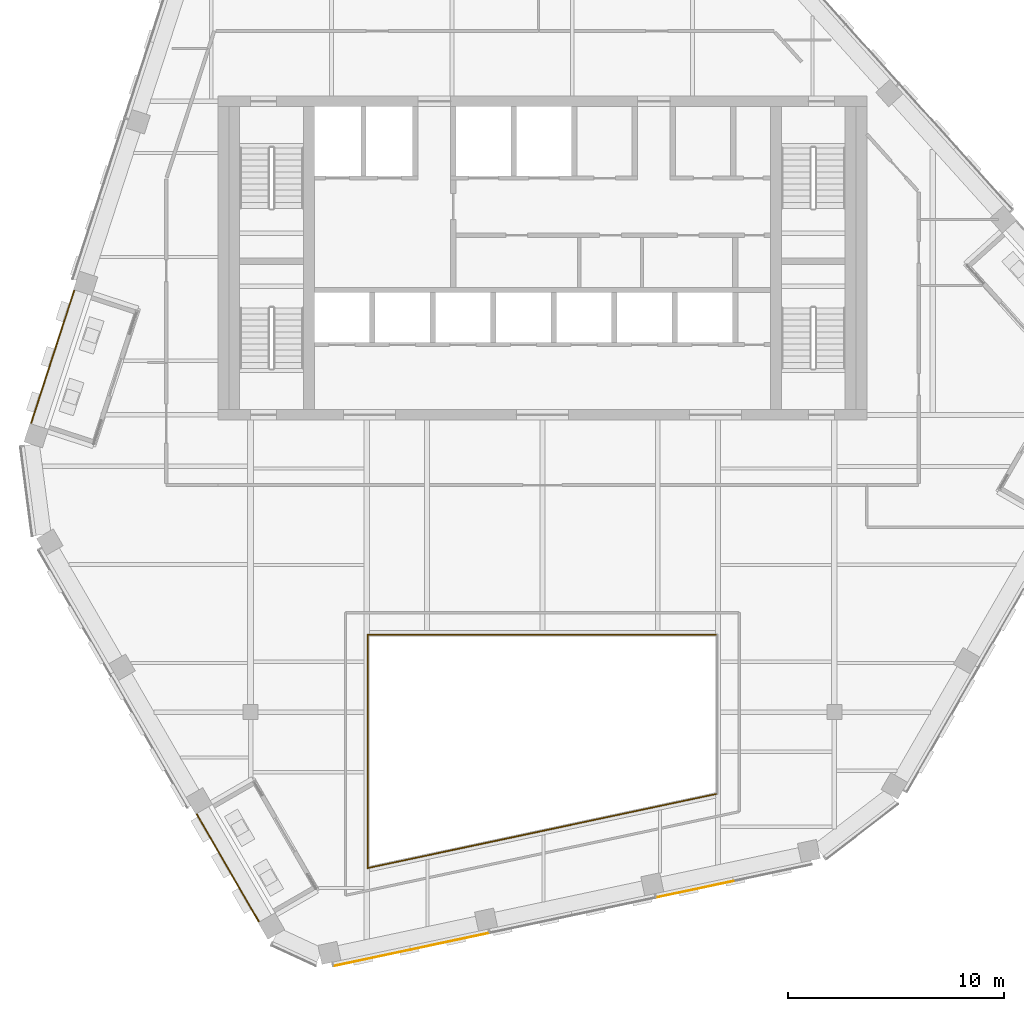
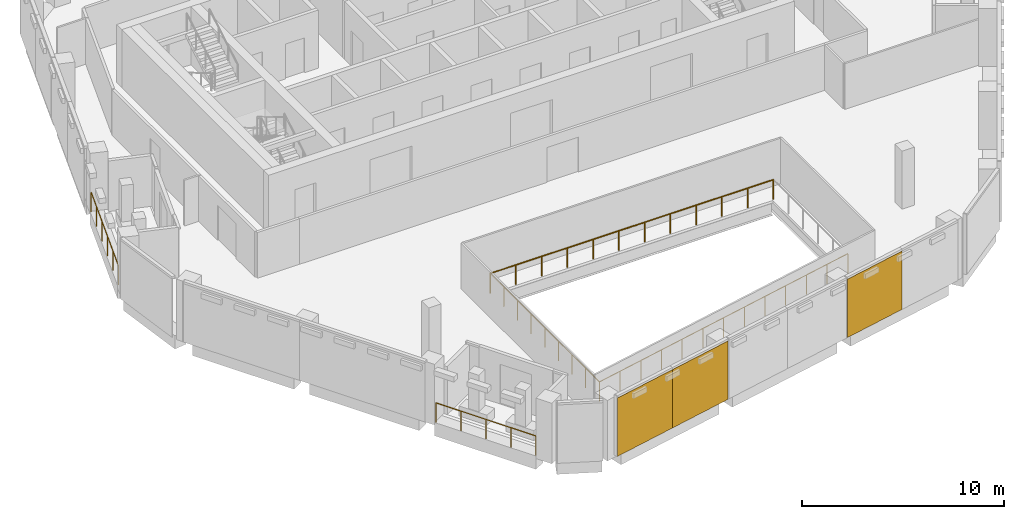
# One storey, part 17 of 22: 5 railings, 3 coverings, 1 element without a shape of its own.
"""IFC4 building model written with IfcOpenShell, lengths in metres."""

from ifc_helpers import new_model, si_unit, direction, frame, origin, origin_2d, place, context, subcontext, project, spatial, rectangle, circle, extrude, material, layer, layer_set, type_object, element, aggregate, save


model = new_model("IFC4")

# Units and contexts
model_context = context("Model", 3, precision=1e-05, world=origin(), true_north=direction((0.0, 1.0)))
body_context = subcontext(model_context, "Body", "Model", "MODEL_VIEW")
ifc_project = project(units=[si_unit("LENGTHUNIT", "METRE"), si_unit("AREAUNIT", "SQUARE_METRE"), si_unit("VOLUMEUNIT", "CUBIC_METRE"), si_unit("PLANEANGLEUNIT", "RADIAN"), si_unit("MASSUNIT", "GRAM", prefix="KILO")], contexts=[model_context])

# Site, building, storey
site_placement = place(None, origin())
site = spatial("IfcSite", under=ifc_project, at=site_placement, CompositionType="ELEMENT")
building_placement = place(site_placement, origin())
building = spatial("IfcBuilding", under=site, at=building_placement, Name="Isthmus Gate Tower", CompositionType="ELEMENT")
storey_placement = place(building_placement, frame((0.0, 0.0, 264.60009765625)))
storey = spatial("IfcBuildingStorey", under=building, at=storey_placement, Name="L67", CompositionType="ELEMENT", Elevation=264.60009765625)

# Railings
ifc_material_1 = material(Name="Laminated toughened glass balustrade with steel rail", Category="steel")
railing_type_1 = type_object("IfcRailingType", Name="ATRIUM GUARD GLASS BALUSTRADE 1200", PredefinedType="GUARDRAIL", material=ifc_material_1)
railing_1_placement = place(storey_placement, frame((-8.080078125, -20.7099609375, 0.0)))
element("IfcRailing", 1, at=railing_1_placement, inside=storey, type_object=railing_type_1, Name="L67 atrium guard", PredefinedType="GUARDRAIL", context=body_context, shape_type="SweptSolid", body=[
    extrude(circle(Radius=0.02490234375, at=origin_2d()), frame((0.0, 0.0, 1.1748046875), z_axis=(0.0, 1.0, 0.0), x_axis=(-1.0, 0.0, 0.0)), (0.0, 0.0, 1.0), 10.7900390625),
    extrude(circle(Radius=0.02490234375, at=origin_2d()), origin(), (0.0, 0.0, 1.0), 1.14990234375),
    extrude(circle(Radius=0.02490234375, at=origin_2d()), frame((0.0, 1.3486328125, 0.0)), (0.0, 0.0, 1.0), 1.14990234375),
    extrude(circle(Radius=0.02490234375, at=origin_2d()), frame((0.0, 2.697509765625, 0.0)), (0.0, 0.0, 1.0), 1.14990234375),
    extrude(circle(Radius=0.02490234375, at=origin_2d()), frame((0.0, 4.04638671875, 0.0)), (0.0, 0.0, 1.0), 1.14990234375),
    extrude(circle(Radius=0.02490234375, at=origin_2d()), frame((0.0, 5.39501953125, 0.0)), (0.0, 0.0, 1.0), 1.14990234375),
    extrude(circle(Radius=0.02490234375, at=origin_2d()), frame((0.0, 6.74365234375, 0.0)), (0.0, 0.0, 1.0), 1.14990234375),
    extrude(circle(Radius=0.02490234375, at=origin_2d()), frame((0.0, 8.092529296875, 0.0)), (0.0, 0.0, 1.0), 1.14990234375),
    extrude(circle(Radius=0.02490234375, at=origin_2d()), frame((0.0, 9.44140625, 0.0)), (0.0, 0.0, 1.0), 1.14990234375),
    extrude(circle(Radius=0.02490234375, at=origin_2d()), frame((0.0, 10.7900390625, 0.0)), (0.0, 0.0, 1.0), 1.14990234375),
])
railing_2_placement = place(storey_placement, frame((-8.080078125, -9.919921875, 0.0)))
element("IfcRailing", 2, at=railing_2_placement, inside=storey, type_object=railing_type_1, Name="L67 atrium guard", PredefinedType="GUARDRAIL", context=body_context, shape_type="SweptSolid", body=[
    extrude(circle(Radius=0.02490234375, at=origin_2d()), frame((0.0, 0.0, 1.1748046875), z_axis=(1.0, 0.0, 0.0), x_axis=(0.0, 1.0, 0.0)), (0.0, 0.0, 1.0), 16.16015625),
    extrude(circle(Radius=0.02490234375, at=origin_2d()), origin(), (0.0, 0.0, 1.0), 1.14990234375),
    extrude(circle(Radius=0.02490234375, at=origin_2d()), frame((1.468994140625, 0.0, 0.0)), (0.0, 0.0, 1.0), 1.14990234375),
    extrude(circle(Radius=0.02490234375, at=origin_2d()), frame((2.938232421875, 0.0, 0.0)), (0.0, 0.0, 1.0), 1.14990234375),
    extrude(circle(Radius=0.02490234375, at=origin_2d()), frame((4.4072265625, 0.0, 0.0)), (0.0, 0.0, 1.0), 1.14990234375),
    extrude(circle(Radius=0.02490234375, at=origin_2d()), frame((5.87646484375, 0.0, 0.0)), (0.0, 0.0, 1.0), 1.14990234375),
    extrude(circle(Radius=0.02490234375, at=origin_2d()), frame((7.345458984375, 0.0, 0.0)), (0.0, 0.0, 1.0), 1.14990234375),
    extrude(circle(Radius=0.02490234375, at=origin_2d()), frame((8.814697265625, 0.0, 0.0)), (0.0, 0.0, 1.0), 1.14990234375),
    extrude(circle(Radius=0.02490234375, at=origin_2d()), frame((10.28369140625, 0.0, 0.0)), (0.0, 0.0, 1.0), 1.14990234375),
    extrude(circle(Radius=0.02490234375, at=origin_2d()), frame((11.7529296875, 0.0, 0.0)), (0.0, 0.0, 1.0), 1.14990234375),
    extrude(circle(Radius=0.02490234375, at=origin_2d()), frame((13.221923828125, 0.0, 0.0)), (0.0, 0.0, 1.0), 1.14990234375),
    extrude(circle(Radius=0.02490234375, at=origin_2d()), frame((14.691162109375, 0.0, 0.0)), (0.0, 0.0, 1.0), 1.14990234375),
    extrude(circle(Radius=0.02490234375, at=origin_2d()), frame((16.16015625, 0.0, 0.0)), (0.0, 0.0, 1.0), 1.14990234375),
])
railing_3_placement = place(storey_placement, frame((8.080078125, -17.27490234375, 0.0)))
element("IfcRailing", 3, at=railing_3_placement, inside=storey, type_object=railing_type_1, Name="L67 atrium guard", PredefinedType="GUARDRAIL", context=body_context, shape_type="SweptSolid", body=[
    extrude(circle(Radius=0.02490234375, at=origin_2d()), frame((0.0, 0.0, 1.1748046875), z_axis=(-0.978146230105, -0.207918139013, 0.0), x_axis=(0.207918139013, -0.978146230105, 0.0)), (0.0, 0.0, 1.0), 16.521240234375),
    extrude(circle(Radius=0.02490234375, at=origin_2d()), origin(), (0.0, 0.0, 1.0), 1.14990234375),
    extrude(circle(Radius=0.02490234375, at=origin_2d()), frame((-1.3466796875, -0.2861328125, 0.0)), (0.0, 0.0, 1.0), 1.14990234375),
    extrude(circle(Radius=0.02490234375, at=origin_2d()), frame((-2.693359375, -0.572509765625, 0.0)), (0.0, 0.0, 1.0), 1.14990234375),
    extrude(circle(Radius=0.02490234375, at=origin_2d()), frame((-4.0400390625, -0.85888671875, 0.0)), (0.0, 0.0, 1.0), 1.14990234375),
    extrude(circle(Radius=0.02490234375, at=origin_2d()), frame((-5.38671875, -1.14501953125, 0.0)), (0.0, 0.0, 1.0), 1.14990234375),
    extrude(circle(Radius=0.02490234375, at=origin_2d()), frame((-6.7333984375, -1.43115234375, 0.0)), (0.0, 0.0, 1.0), 1.14990234375),
    extrude(circle(Radius=0.02490234375, at=origin_2d()), frame((-8.080078125, -1.717529296875, 0.0)), (0.0, 0.0, 1.0), 1.14990234375),
    extrude(circle(Radius=0.02490234375, at=origin_2d()), frame((-9.4267578125, -2.00390625, 0.0)), (0.0, 0.0, 1.0), 1.14990234375),
    extrude(circle(Radius=0.02490234375, at=origin_2d()), frame((-10.7734375, -2.2900390625, 0.0)), (0.0, 0.0, 1.0), 1.14990234375),
    extrude(circle(Radius=0.02490234375, at=origin_2d()), frame((-12.1201171875, -2.576171875, 0.0)), (0.0, 0.0, 1.0), 1.14990234375),
    extrude(circle(Radius=0.02490234375, at=origin_2d()), frame((-13.466796875, -2.862548828125, 0.0)), (0.0, 0.0, 1.0), 1.14990234375),
    extrude(circle(Radius=0.02490234375, at=origin_2d()), frame((-14.8134765625, -3.14892578125, 0.0)), (0.0, 0.0, 1.0), 1.14990234375),
    extrude(circle(Radius=0.02490234375, at=origin_2d()), frame((-16.16015625, -3.43505859375, 0.0)), (0.0, 0.0, 1.0), 1.14990234375),
])

# Curtain wall, coverings
ifc_material_2 = material(Name="Aluminium, pale champagne anodised", Category="aluminium")
ifc_layer_1 = layer(ifc_material_2, 0.199951171875)
ifc_layer_set_1 = layer_set([ifc_layer_1], Name="CW-1 UNITISED CURTAIN WALL 200 DEEP")
curtain_wall_type = type_object("IfcCurtainWallType", Name="CW-1 UNITISED CURTAIN WALL 200 DEEP", PredefinedType="NOTDEFINED", material=ifc_layer_set_1)
curtain_wall_placement = place(storey_placement, origin())
curtain_wall = element("IfcCurtainWall", 4, at=curtain_wall_placement, inside=storey, type_object=curtain_wall_type, Name="CW-1 S L67", PredefinedType="NOTDEFINED")
ifc_material_3 = material(Name="Aluminium composite panel, pale champagne anodised", Category="aluminium")
ifc_layer_2 = layer(ifc_material_3, 0.031982421875)
ifc_layer_set_2 = layer_set([ifc_layer_2], Name="CW-1 PALE METAL PANEL 32")
covering_type = type_object("IfcCoveringType", Name="CW-1 PALE METAL PANEL 32", PredefinedType="CLADDING", material=ifc_layer_set_2)
covering_1_placement = place(storey_placement, frame((-7.87841796875, -24.86279296875, 0.0), z_axis=(0.0, 0.0, 1.0), x_axis=(0.978147600734, 0.207911690818, 0.0)))
covering_1 = element("IfcCovering", 5, at=covering_1_placement, type_object=covering_type, Name="CW-1 pale metal panel", PredefinedType="CLADDING", context=body_context, shape_type="SweptSolid", body=[
    extrude(rectangle(XDim=3.643310546875, YDim=0.031982421875, at=origin_2d()), origin(), (0.0, 0.0, 1.0), 3.52001953125),
])
covering_2_placement = place(storey_placement, frame((-4.28515625, -24.098876953125, 0.0), z_axis=(0.0, 0.0, 1.0), x_axis=(0.978147600734, 0.207911690818, 0.0)))
covering_2 = element("IfcCovering", 6, at=covering_2_placement, type_object=covering_type, Name="CW-1 pale metal panel", PredefinedType="CLADDING", context=body_context, shape_type="SweptSolid", body=[
    extrude(rectangle(XDim=3.703369140625, YDim=0.031982421875, at=origin_2d()), origin(), (0.0, 0.0, 1.0), 3.52001953125),
])
covering_3_placement = place(storey_placement, frame((7.0517578125, -21.689208984375, 0.0), z_axis=(0.0, 0.0, 1.0), x_axis=(0.978147600734, 0.207911690818, 0.0)))
covering_3 = element("IfcCovering", 7, at=covering_3_placement, type_object=covering_type, Name="CW-1 pale metal panel", PredefinedType="CLADDING", context=body_context, shape_type="SweptSolid", body=[
    extrude(rectangle(XDim=3.643310546875, YDim=0.031982421875, at=origin_2d()), origin(), (0.0, 0.0, 1.0), 3.52001953125),
])
aggregate(curtain_wall, [covering_1, covering_2, covering_3])

# Railings
ifc_material_4 = material(Name="Toughened laminated glass with stainless steel posts", Category="steel")
railing_type_2 = type_object("IfcRailingType", Name="GUARD 1200 FRAMELESS GLASS", PredefinedType="GUARDRAIL", material=ifc_material_4)
railing_4_placement = place(storey_placement, frame((-21.65673828125, 5.989013671875, 0.0)))
element("IfcRailing", 8, at=railing_4_placement, inside=storey, type_object=railing_type_2, Name="LOGGIA GUARD", PredefinedType="GUARDRAIL", context=body_context, shape_type="SweptSolid", body=[
    extrude(circle(Radius=0.02490234375, at=origin_2d()), frame((0.0, 0.0, 1.1748046875), z_axis=(-0.308993302308, -0.951064213988, 0.0), x_axis=(0.951064213988, -0.308993302308, 0.0)), (0.0, 0.0, 1.0), 6.4267578125),
    extrude(circle(Radius=0.02490234375, at=origin_2d()), origin(), (0.0, 0.0, 1.0), 1.14990234375),
    extrude(circle(Radius=0.02490234375, at=origin_2d()), frame((-0.397216796875, -1.222412109375, 0.0)), (0.0, 0.0, 1.0), 1.14990234375),
    extrude(circle(Radius=0.02490234375, at=origin_2d()), frame((-0.79443359375, -2.44482421875, 0.0)), (0.0, 0.0, 1.0), 1.14990234375),
    extrude(circle(Radius=0.02490234375, at=origin_2d()), frame((-1.19140625, -3.66748046875, 0.0)), (0.0, 0.0, 1.0), 1.14990234375),
    extrude(circle(Radius=0.02490234375, at=origin_2d()), frame((-1.588623046875, -4.889892578125, 0.0)), (0.0, 0.0, 1.0), 1.14990234375),
    extrude(circle(Radius=0.02490234375, at=origin_2d()), frame((-1.98583984375, -6.1123046875, 0.0)), (0.0, 0.0, 1.0), 1.14990234375),
])
railing_5_placement = place(storey_placement, frame((-15.9755859375, -18.229736328125, 0.0)))
element("IfcRailing", 9, at=railing_5_placement, inside=storey, type_object=railing_type_2, Name="LOGGIA GUARD", PredefinedType="GUARDRAIL", context=body_context, shape_type="SweptSolid", body=[
    extrude(circle(Radius=0.02490234375, at=origin_2d()), frame((0.0, 0.0, 1.1748046875), z_axis=(0.500010184938, -0.866019523428, 0.0), x_axis=(0.866019523428, 0.500010184938, 0.0)), (0.0, 0.0, 1.0), 5.70458984375),
    extrude(circle(Radius=0.02490234375, at=origin_2d()), origin(), (0.0, 0.0, 1.0), 1.14990234375),
    extrude(circle(Radius=0.02490234375, at=origin_2d()), frame((0.713134765625, -1.235107421875, 0.0)), (0.0, 0.0, 1.0), 1.14990234375),
    extrude(circle(Radius=0.02490234375, at=origin_2d()), frame((1.42626953125, -2.47021484375, 0.0)), (0.0, 0.0, 1.0), 1.14990234375),
    extrude(circle(Radius=0.02490234375, at=origin_2d()), frame((2.13916015625, -3.705078125, 0.0)), (0.0, 0.0, 1.0), 1.14990234375),
    extrude(circle(Radius=0.02490234375, at=origin_2d()), frame((2.852294921875, -4.940185546875, 0.0)), (0.0, 0.0, 1.0), 1.14990234375),
])

save(model, "model.ifc")
